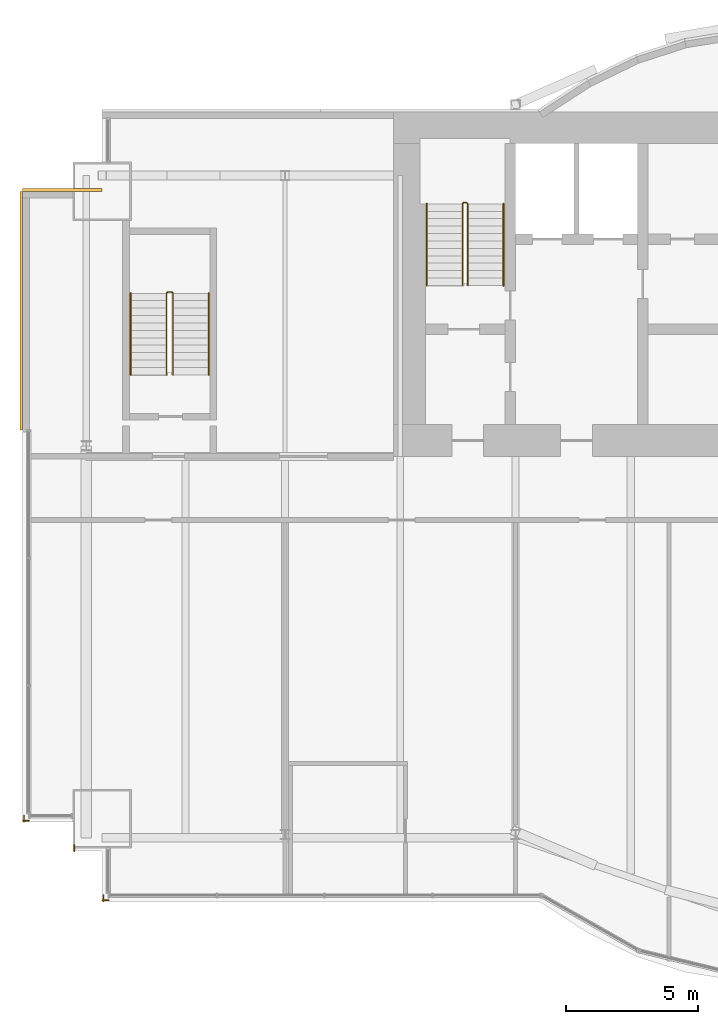
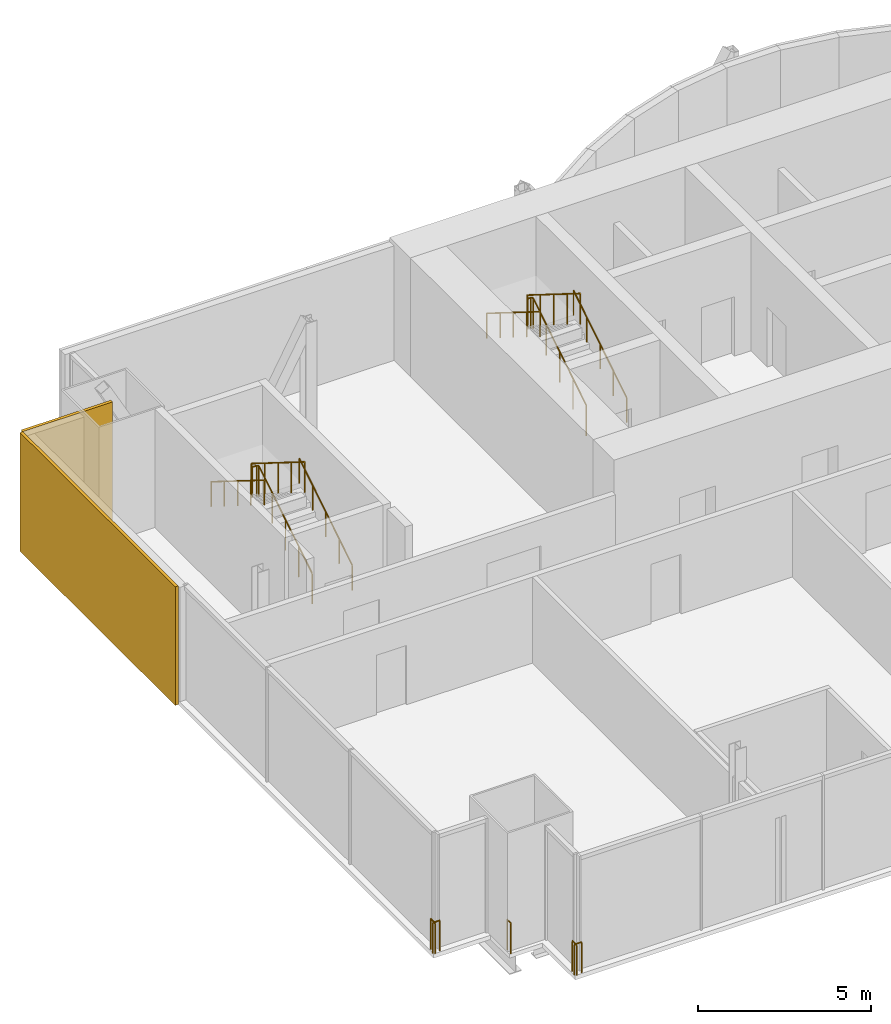
# One storey, part 18 of 20: 9 railings, 2 coverings.
"""IFC4 building model written with IfcOpenShell, lengths in metres."""

from ifc_helpers import new_model, si_unit, direction, frame, origin, origin_2d, place, context, subcontext, project, spatial, rectangle, circle, extrude, material, layer, layer_set, type_object, element, save


model = new_model("IFC4")

# Units and contexts
model_context = context("Model", 3, precision=1e-05, world=origin(), true_north=direction((0.0, 1.0)))
body_context = subcontext(model_context, "Body", "Model", "MODEL_VIEW")
ifc_project = project(units=[si_unit("LENGTHUNIT", "METRE"), si_unit("AREAUNIT", "SQUARE_METRE"), si_unit("VOLUMEUNIT", "CUBIC_METRE"), si_unit("PLANEANGLEUNIT", "RADIAN"), si_unit("MASSUNIT", "GRAM", prefix="KILO")], contexts=[model_context])

# Site, building, storey
site_placement = place(None, origin())
site = spatial("IfcSite", under=ifc_project, at=site_placement, CompositionType="ELEMENT")
building_placement = place(site_placement, origin())
building = spatial("IfcBuilding", under=site, at=building_placement, Name="Bicima Exchange Tower", CompositionType="ELEMENT")
storey_placement = place(building_placement, frame((0.0, 0.0, 249.800048828125)))
storey = spatial("IfcBuildingStorey", under=building, at=storey_placement, Name="L56", CompositionType="ELEMENT", Elevation=249.800048828125)

# Coverings
ifc_material_1 = material(Name="Bronze metal cladding")
ifc_layer_1 = layer(ifc_material_1, 0.004)
ifc_material_2 = material(Name="Ventilated cavity")
ifc_layer_2 = layer(ifc_material_2, 0.06)
ifc_material_3 = material(Name="Galvanised steel rail and mineral wool", Category="steel")
ifc_layer_3 = layer(ifc_material_3, 0.036)
ifc_layer_set = layer_set([ifc_layer_1, ifc_layer_2, ifc_layer_3], Name="Ventilated cavity")
covering_type = type_object("IfcCoveringType", Name="Bronze metal cladding panel 100", PredefinedType="CLADDING", material=ifc_layer_set)
covering_1_placement = place(storey_placement, frame((-34.5, -2.949951171875, -0.14990234375), z_axis=(0.0, 0.0, 1.0), x_axis=(-1.0, 0.0, 0.0)))
element("IfcCovering", 1, at=covering_1_placement, inside=storey, type_object=covering_type, Name="Bronze cladding L56 22.1", PredefinedType="CLADDING", context=body_context, shape_type="SweptSolid", body=[
    extrude(rectangle(XDim=3.0, YDim=0.10009765625, at=origin_2d()), origin(), (0.0, 0.0, 1.0), 4.199951171875),
])
covering_2_placement = place(storey_placement, frame((-36.050048828125, -7.5, -0.14990234375), z_axis=(0.0, 0.0, 1.0), x_axis=(0.0, -1.0, 0.0)))
element("IfcCovering", 2, at=covering_2_placement, inside=storey, type_object=covering_type, Name="Bronze cladding L56 23.1", PredefinedType="CLADDING", context=body_context, shape_type="SweptSolid", body=[
    extrude(rectangle(XDim=9.0, YDim=0.10009765625, at=origin_2d()), origin(), (0.0, 0.0, 1.0), 4.199951171875),
])

# Railings
ifc_material_4 = material(Name="Stainless steel and bonded safety glass", Category="steel")
railing_type_1 = type_object("IfcRailingType", Name="Edge guard 1100", PredefinedType="GUARDRAIL", material=ifc_material_4)
railing_1_placement = place(storey_placement, frame((-35.762939453125, -26.75, 0.0)))
element("IfcRailing", 3, at=railing_1_placement, inside=storey, type_object=railing_type_1, Name="Edge guard L56 283", PredefinedType="GUARDRAIL", context=body_context, shape_type="SweptSolid", body=[
    extrude(circle(Radius=0.02392578125, at=origin_2d()), frame((0.0, 0.0, 1.076171875), z_axis=(-1.0, 0.0, 0.0), x_axis=(0.0, -1.0, 0.0)), (0.0, 0.0, 1.0), 0.237060546875),
    extrude(circle(Radius=0.02392578125, at=origin_2d()), frame((-0.237060546875, 0.0, 1.076171875), z_axis=(0.707106781187, -0.707106781187, 0.0), x_axis=(0.707106781187, 0.707106781187, 0.0)), (0.0, 0.0, 1.0), 0.07080078125),
    extrude(circle(Radius=0.02392578125, at=origin_2d()), frame((-0.18701171875, -0.050048828125, 1.076171875), z_axis=(0.0, 1.0, 0.0), x_axis=(-1.0, 0.0, 0.0)), (0.0, 0.0, 1.0), 0.248046875),
    extrude(circle(Radius=0.02099609375, at=origin_2d()), origin(), (0.0, 0.0, 1.0), 1.052001953125),
    extrude(circle(Radius=0.02099609375, at=origin_2d()), frame((-0.237060546875, 0.0, 0.0)), (0.0, 0.0, 1.0), 1.052001953125),
    extrude(circle(Radius=0.02099609375, at=origin_2d()), frame((-0.18701171875, -0.050048828125, 0.0)), (0.0, 0.0, 1.0), 1.052001953125),
    extrude(circle(Radius=0.02099609375, at=origin_2d()), frame((-0.18701171875, 0.197998046875, 0.0)), (0.0, 0.0, 1.0), 1.052001953125),
])
railing_2_placement = place(storey_placement, frame((-32.75, -29.75, 0.0)))
element("IfcRailing", 4, at=railing_2_placement, inside=storey, type_object=railing_type_1, Name="Edge guard L56 287", PredefinedType="GUARDRAIL", context=body_context, shape_type="SweptSolid", body=[
    extrude(circle(Radius=0.02392578125, at=origin_2d()), frame((0.0, 0.0, 1.076171875), z_axis=(-1.0, 0.0, 0.0), x_axis=(0.0, -1.0, 0.0)), (0.0, 0.0, 1.0), 0.25),
    extrude(circle(Radius=0.02392578125, at=origin_2d()), frame((-0.25, 0.0, 1.076171875), z_axis=(0.707106781187, -0.707106781187, 0.0), x_axis=(0.707106781187, 0.707106781187, 0.0)), (0.0, 0.0, 1.0), 0.07080078125),
    extrude(circle(Radius=0.02392578125, at=origin_2d()), frame((-0.199951171875, -0.050048828125, 1.076171875), z_axis=(0.0, 1.0, 0.0), x_axis=(-1.0, 0.0, 0.0)), (0.0, 0.0, 1.0), 0.238037109375),
    extrude(circle(Radius=0.02099609375, at=origin_2d()), origin(), (0.0, 0.0, 1.0), 1.052001953125),
    extrude(circle(Radius=0.02099609375, at=origin_2d()), frame((-0.25, 0.0, 0.0)), (0.0, 0.0, 1.0), 1.052001953125),
    extrude(circle(Radius=0.02099609375, at=origin_2d()), frame((-0.199951171875, -0.050048828125, 0.0)), (0.0, 0.0, 1.0), 1.052001953125),
    extrude(circle(Radius=0.02099609375, at=origin_2d()), frame((-0.199951171875, 0.18798828125, 0.0)), (0.0, 0.0, 1.0), 1.052001953125),
])
railing_3_placement = place(storey_placement, frame((-34.050048828125, -27.89990234375, 0.0)))
element("IfcRailing", 5, at=railing_3_placement, inside=storey, type_object=railing_type_1, Name="Edge guard L56 288", PredefinedType="GUARDRAIL", context=body_context, shape_type="SweptSolid", body=[
    extrude(circle(Radius=0.02392578125, at=origin_2d()), frame((0.0, 0.0, 1.076171875), z_axis=(0.0, 1.0, 0.0), x_axis=(-1.0, 0.0, 0.0)), (0.0, 0.0, 1.0), 0.219970703125),
    extrude(circle(Radius=0.02099609375, at=origin_2d()), origin(), (0.0, 0.0, 1.0), 1.052001953125),
    extrude(circle(Radius=0.02099609375, at=origin_2d()), frame((0.0, 0.219970703125, 0.0)), (0.0, 0.0, 1.0), 1.052001953125),
])
ifc_material_5 = material(Name="Stainless steel", Category="steel")
railing_type_2 = type_object("IfcRailingType", Name="Stair guard 1100", PredefinedType="GUARDRAIL", material=ifc_material_5)
railing_4_placement = place(storey_placement, frame((-19.199951171875, -6.550048828125, 0.175048828125)))
element("IfcRailing", 6, at=railing_4_placement, inside=storey, type_object=railing_type_2, Name="L56 ST-W stair guard 1", PredefinedType="GUARDRAIL", context=body_context, shape_type="SweptSolid", body=[
    extrude(circle(Radius=0.02392578125, at=origin_2d()), frame((0.0, 0.0, 1.076171875), z_axis=(0.0, 0.848028513186, 0.529950602248), x_axis=(-1.0, 0.0, 0.0)), (0.0, 0.0, 1.0), 3.632080078125),
    extrude(circle(Radius=0.02392578125, at=origin_2d()), frame((0.0, 3.080078125, 3.0009765625), z_axis=(-0.707106781187, 0.707106781187, 0.0), x_axis=(-0.707106781187, -0.707106781187, 0.0)), (0.0, 0.0, 1.0), 0.07080078125),
    extrude(circle(Radius=0.02392578125, at=origin_2d()), frame((-0.050048828125, 3.130126953125, 3.0009765625), z_axis=(-1.0, 0.0, 0.0), x_axis=(0.0, -1.0, 0.0)), (0.0, 0.0, 1.0), 0.10009765625),
    extrude(circle(Radius=0.02392578125, at=origin_2d()), frame((-0.150146484375, 3.130126953125, 3.0009765625), z_axis=(-0.263862480399, -0.265155923931, 0.927399011991), x_axis=(0.708833529934, -0.705375805398, 0.0)), (0.0, 0.0, 1.0), 0.188720703125),
    extrude(circle(Radius=0.02392578125, at=origin_2d()), frame((-0.199951171875, 3.080078125, 3.17578125), z_axis=(0.0, -0.847998304005, 0.529998940003), x_axis=(1.0, 0.0, 0.0)), (0.0, 0.0, 1.0), 3.632080078125),
    extrude(circle(Radius=0.02099609375, at=origin_2d()), origin(), (0.0, 0.0, 1.0), 1.052001953125),
    extrude(circle(Radius=0.02099609375, at=origin_2d()), frame((0.0, 0.77001953125, 0.481201171875)), (0.0, 0.0, 1.0), 1.052001953125),
    extrude(circle(Radius=0.02099609375, at=origin_2d()), frame((0.0, 1.5400390625, 0.96240234375)), (0.0, 0.0, 1.0), 1.052001953125),
    extrude(circle(Radius=0.02099609375, at=origin_2d()), frame((0.0, 2.31005859375, 1.443603515625)), (0.0, 0.0, 1.0), 1.052001953125),
    extrude(circle(Radius=0.02099609375, at=origin_2d()), frame((0.0, 3.080078125, 1.9248046875)), (0.0, 0.0, 1.0), 1.052001953125),
    extrude(circle(Radius=0.02099609375, at=origin_2d()), frame((-0.050048828125, 3.130126953125, 1.9248046875)), (0.0, 0.0, 1.0), 1.052001953125),
    extrude(circle(Radius=0.02099609375, at=origin_2d()), frame((-0.150146484375, 3.130126953125, 1.9248046875)), (0.0, 0.0, 1.0), 1.052001953125),
    extrude(circle(Radius=0.02099609375, at=origin_2d()), frame((-0.199951171875, 3.080078125, 2.099853515625)), (0.0, 0.0, 1.0), 1.052001953125),
    extrude(circle(Radius=0.02099609375, at=origin_2d()), frame((-0.199951171875, 2.31005859375, 2.5810546875)), (0.0, 0.0, 1.0), 1.052001953125),
    extrude(circle(Radius=0.02099609375, at=origin_2d()), frame((-0.199951171875, 1.5400390625, 3.0625)), (0.0, 0.0, 1.0), 1.052001953125),
    extrude(circle(Radius=0.02099609375, at=origin_2d()), frame((-0.199951171875, 0.77001953125, 3.543701171875)), (0.0, 0.0, 1.0), 1.052001953125),
    extrude(circle(Radius=0.02099609375, at=origin_2d()), frame((-0.199951171875, 0.0, 4.02490234375)), (0.0, 0.0, 1.0), 1.052001953125),
])
railing_5_placement = place(storey_placement, frame((-30.324951171875, -9.925048828125, 0.175048828125)))
element("IfcRailing", 7, at=railing_5_placement, inside=storey, type_object=railing_type_2, Name="L56 ST-WW stair guard 1", PredefinedType="GUARDRAIL", context=body_context, shape_type="SweptSolid", body=[
    extrude(circle(Radius=0.02392578125, at=origin_2d()), frame((0.0, 0.0, 1.076171875), z_axis=(0.0, 0.848028513186, 0.529950602248), x_axis=(-1.0, 0.0, 0.0)), (0.0, 0.0, 1.0), 3.632080078125),
    extrude(circle(Radius=0.02392578125, at=origin_2d()), frame((0.0, 3.080078125, 3.0009765625), z_axis=(-0.707106781187, 0.707106781187, 0.0), x_axis=(-0.707106781187, -0.707106781187, 0.0)), (0.0, 0.0, 1.0), 0.07080078125),
    extrude(circle(Radius=0.02392578125, at=origin_2d()), frame((-0.050048828125, 3.130126953125, 3.0009765625), z_axis=(-1.0, 0.0, 0.0), x_axis=(0.0, -1.0, 0.0)), (0.0, 0.0, 1.0), 0.14990234375),
    extrude(circle(Radius=0.02392578125, at=origin_2d()), frame((-0.199951171875, 3.130126953125, 3.0009765625), z_axis=(-0.265065253269, -0.265065253269, 0.927081885822), x_axis=(0.707106781187, -0.707106781187, 0.0)), (0.0, 0.0, 1.0), 0.188720703125),
    extrude(circle(Radius=0.02392578125, at=origin_2d()), frame((-0.25, 3.080078125, 3.17578125), z_axis=(0.0, -0.847998304005, 0.529998940003), x_axis=(1.0, 0.0, 0.0)), (0.0, 0.0, 1.0), 3.632080078125),
    extrude(circle(Radius=0.02099609375, at=origin_2d()), origin(), (0.0, 0.0, 1.0), 1.052001953125),
    extrude(circle(Radius=0.02099609375, at=origin_2d()), frame((0.0, 0.77001953125, 0.481201171875)), (0.0, 0.0, 1.0), 1.052001953125),
    extrude(circle(Radius=0.02099609375, at=origin_2d()), frame((0.0, 1.5400390625, 0.96240234375)), (0.0, 0.0, 1.0), 1.052001953125),
    extrude(circle(Radius=0.02099609375, at=origin_2d()), frame((0.0, 2.31005859375, 1.443603515625)), (0.0, 0.0, 1.0), 1.052001953125),
    extrude(circle(Radius=0.02099609375, at=origin_2d()), frame((0.0, 3.080078125, 1.9248046875)), (0.0, 0.0, 1.0), 1.052001953125),
    extrude(circle(Radius=0.02099609375, at=origin_2d()), frame((-0.050048828125, 3.130126953125, 1.9248046875)), (0.0, 0.0, 1.0), 1.052001953125),
    extrude(circle(Radius=0.02099609375, at=origin_2d()), frame((-0.199951171875, 3.130126953125, 1.9248046875)), (0.0, 0.0, 1.0), 1.052001953125),
    extrude(circle(Radius=0.02099609375, at=origin_2d()), frame((-0.25, 3.080078125, 2.099853515625)), (0.0, 0.0, 1.0), 1.052001953125),
    extrude(circle(Radius=0.02099609375, at=origin_2d()), frame((-0.25, 2.31005859375, 2.5810546875)), (0.0, 0.0, 1.0), 1.052001953125),
    extrude(circle(Radius=0.02099609375, at=origin_2d()), frame((-0.25, 1.5400390625, 3.0625)), (0.0, 0.0, 1.0), 1.052001953125),
    extrude(circle(Radius=0.02099609375, at=origin_2d()), frame((-0.25, 0.77001953125, 3.543701171875)), (0.0, 0.0, 1.0), 1.052001953125),
    extrude(circle(Radius=0.02099609375, at=origin_2d()), frame((-0.25, 0.0, 4.02490234375)), (0.0, 0.0, 1.0), 1.052001953125),
])
railing_type_3 = type_object("IfcRailingType", Name="Stair handrail 900", PredefinedType="HANDRAIL", material=ifc_material_5)
railing_6_placement = place(storey_placement, frame((-17.85009765625, -6.550048828125, 0.175048828125)))
element("IfcRailing", 8, at=railing_6_placement, inside=storey, type_object=railing_type_3, Name="L56 ST-W stair handrail 1", PredefinedType="HANDRAIL", context=body_context, shape_type="SweptSolid", body=[
    extrude(circle(Radius=0.02392578125, at=origin_2d()), frame((0.0, 0.0, 0.8759765625), z_axis=(0.0, 0.848028513186, 0.529950602248), x_axis=(-1.0, 0.0, 0.0)), (0.0, 0.0, 1.0), 3.632080078125),
    extrude(circle(Radius=0.02099609375, at=origin_2d()), origin(), (0.0, 0.0, 1.0), 0.851806640625),
    extrude(circle(Radius=0.02099609375, at=origin_2d()), frame((0.0, 0.77001953125, 0.481201171875)), (0.0, 0.0, 1.0), 0.851806640625),
    extrude(circle(Radius=0.02099609375, at=origin_2d()), frame((0.0, 1.5400390625, 0.96240234375)), (0.0, 0.0, 1.0), 0.851806640625),
    extrude(circle(Radius=0.02099609375, at=origin_2d()), frame((0.0, 2.31005859375, 1.443603515625)), (0.0, 0.0, 1.0), 0.851806640625),
    extrude(circle(Radius=0.02099609375, at=origin_2d()), frame((0.0, 3.080078125, 1.9248046875)), (0.0, 0.0, 1.0), 0.851806640625),
])
railing_7_placement = place(storey_placement, frame((-20.75, -3.469970703125, 2.303955078125)))
element("IfcRailing", 9, at=railing_7_placement, inside=storey, type_object=railing_type_3, Name="L56 ST-W stair handrail 2", PredefinedType="HANDRAIL", context=body_context, shape_type="SweptSolid", body=[
    extrude(circle(Radius=0.02392578125, at=origin_2d()), frame((0.0, 0.0, 0.8759765625), z_axis=(0.0, -0.847998304005, 0.529998940003), x_axis=(1.0, 0.0, 0.0)), (0.0, 0.0, 1.0), 3.632080078125),
    extrude(circle(Radius=0.02099609375, at=origin_2d()), origin(), (0.0, 0.0, 1.0), 0.851806640625),
    extrude(circle(Radius=0.02099609375, at=origin_2d()), frame((0.0, -0.77001953125, 0.481201171875)), (0.0, 0.0, 1.0), 0.851806640625),
    extrude(circle(Radius=0.02099609375, at=origin_2d()), frame((0.0, -1.5400390625, 0.96240234375)), (0.0, 0.0, 1.0), 0.851806640625),
    extrude(circle(Radius=0.02099609375, at=origin_2d()), frame((0.0, -2.31005859375, 1.44384765625)), (0.0, 0.0, 1.0), 0.851806640625),
    extrude(circle(Radius=0.02099609375, at=origin_2d()), frame((0.0, -3.080078125, 1.925048828125)), (0.0, 0.0, 1.0), 0.851806640625),
])
railing_8_placement = place(storey_placement, frame((-28.97509765625, -9.925048828125, 0.175048828125)))
element("IfcRailing", 10, at=railing_8_placement, inside=storey, type_object=railing_type_3, Name="L56 ST-WW stair handrail 1", PredefinedType="HANDRAIL", context=body_context, shape_type="SweptSolid", body=[
    extrude(circle(Radius=0.02392578125, at=origin_2d()), frame((0.0, 0.0, 0.8759765625), z_axis=(0.0, 0.848028513186, 0.529950602248), x_axis=(-1.0, 0.0, 0.0)), (0.0, 0.0, 1.0), 3.632080078125),
    extrude(circle(Radius=0.02099609375, at=origin_2d()), origin(), (0.0, 0.0, 1.0), 0.851806640625),
    extrude(circle(Radius=0.02099609375, at=origin_2d()), frame((0.0, 0.77001953125, 0.481201171875)), (0.0, 0.0, 1.0), 0.851806640625),
    extrude(circle(Radius=0.02099609375, at=origin_2d()), frame((0.0, 1.5400390625, 0.96240234375)), (0.0, 0.0, 1.0), 0.851806640625),
    extrude(circle(Radius=0.02099609375, at=origin_2d()), frame((0.0, 2.31005859375, 1.443603515625)), (0.0, 0.0, 1.0), 0.851806640625),
    extrude(circle(Radius=0.02099609375, at=origin_2d()), frame((0.0, 3.080078125, 1.9248046875)), (0.0, 0.0, 1.0), 0.851806640625),
])
railing_9_placement = place(storey_placement, frame((-31.925048828125, -6.844970703125, 2.303955078125)))
element("IfcRailing", 11, at=railing_9_placement, inside=storey, type_object=railing_type_3, Name="L56 ST-WW stair handrail 2", PredefinedType="HANDRAIL", context=body_context, shape_type="SweptSolid", body=[
    extrude(circle(Radius=0.02392578125, at=origin_2d()), frame((0.0, 0.0, 0.8759765625), z_axis=(0.0, -0.847998304005, 0.529998940003), x_axis=(1.0, 0.0, 0.0)), (0.0, 0.0, 1.0), 3.632080078125),
    extrude(circle(Radius=0.02099609375, at=origin_2d()), origin(), (0.0, 0.0, 1.0), 0.851806640625),
    extrude(circle(Radius=0.02099609375, at=origin_2d()), frame((0.0, -0.77001953125, 0.481201171875)), (0.0, 0.0, 1.0), 0.851806640625),
    extrude(circle(Radius=0.02099609375, at=origin_2d()), frame((0.0, -1.5400390625, 0.96240234375)), (0.0, 0.0, 1.0), 0.851806640625),
    extrude(circle(Radius=0.02099609375, at=origin_2d()), frame((0.0, -2.31005859375, 1.44384765625)), (0.0, 0.0, 1.0), 0.851806640625),
    extrude(circle(Radius=0.02099609375, at=origin_2d()), frame((0.0, -3.080078125, 1.925048828125)), (0.0, 0.0, 1.0), 0.851806640625),
])

save(model, "model.ifc")
